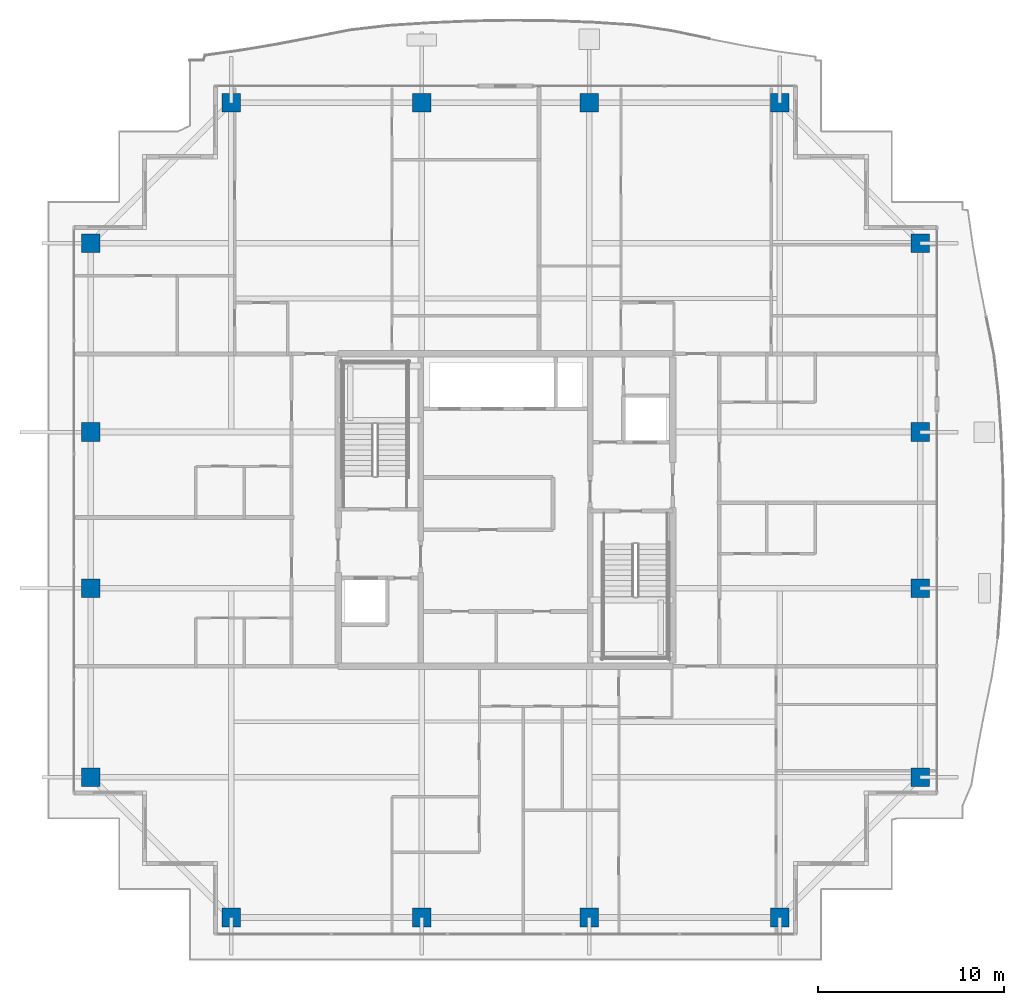
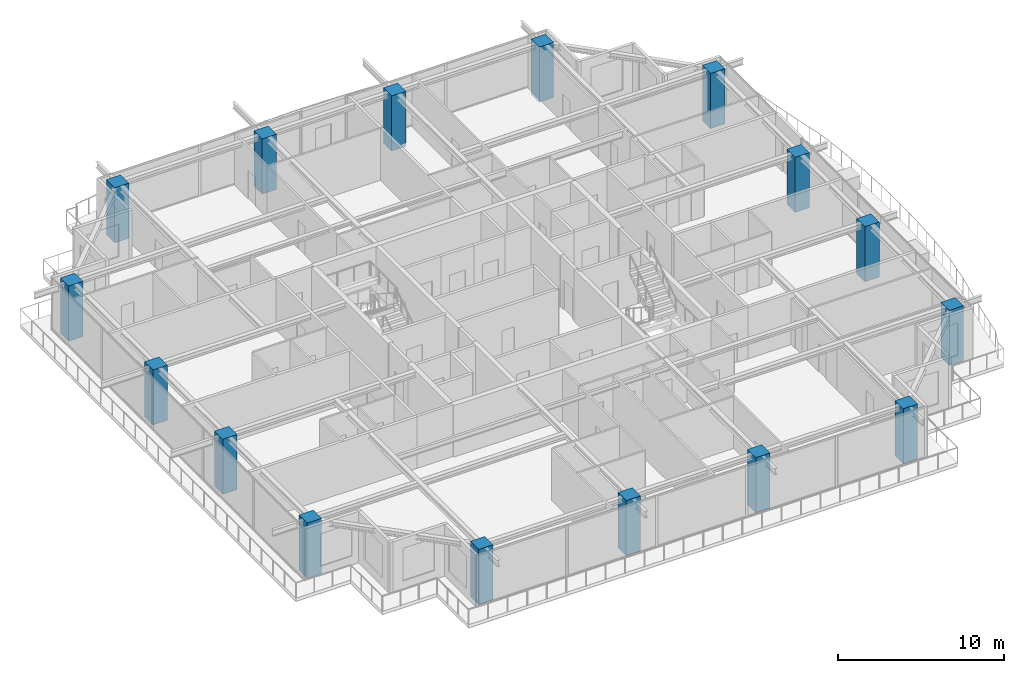
# One storey, part 1 of 39: 16 columns.
"""IFC4 building model written with IfcOpenShell, lengths in metres."""

from ifc_helpers import new_model, si_unit, direction, frame, origin, origin_2d, place, context, subcontext, project, spatial, rectangle, extrude, source, transform, mapped, material, material_profile, profile_set, type_object, element, save


model = new_model("IFC4")

# Units and contexts
model_context = context("Model", 3, precision=1e-05, world=origin(), true_north=direction((0.0, 1.0)))
body_context = subcontext(model_context, "Body", "Model", "MODEL_VIEW")
ifc_project = project(units=[si_unit("LENGTHUNIT", "METRE"), si_unit("AREAUNIT", "SQUARE_METRE"), si_unit("VOLUMEUNIT", "CUBIC_METRE"), si_unit("PLANEANGLEUNIT", "RADIAN"), si_unit("MASSUNIT", "GRAM", prefix="KILO")], contexts=[model_context])

# Site, building, storey
site_placement = place(None, origin())
site = spatial("IfcSite", under=ifc_project, at=site_placement, CompositionType="ELEMENT")
building_placement = place(site_placement, origin())
building = spatial("IfcBuilding", under=site, at=building_placement, Name="Serunith Strait Residences", CompositionType="ELEMENT")
storey_placement = place(building_placement, frame((0.0, 0.0, 329.89990234375)))
storey = spatial("IfcBuildingStorey", under=building, at=storey_placement, Name="L82", CompositionType="ELEMENT", Elevation=329.89990234375)

# Columns
ifc_material = material(Name="Concrete C70/85", Category="concrete")
ifc_material_profile = material_profile(ifc_material, rectangle(XDim=1.0, YDim=1.0, at=origin_2d()), Name="RC 1000x1000")
ifc_profile_set = profile_set([ifc_material_profile], Name="Concrete C70/85")
column_type = type_object("IfcColumnType", Name="COL-RC-1000", PredefinedType="COLUMN", material=ifc_profile_set)
shared_shape = source(origin(), body_context, "Body", "SweptSolid", [
    extrude(rectangle(XDim=1.0, YDim=1.0, at=origin_2d()), origin(), (0.0, 0.0, 1.0), 4.050048828125),
])
for number, where, z_axis, x_axis, name in (
    (1, (17.64990234375, 3.300048828125, -0.260009765625), (0.0, 0.0, 1.0), (1.0, 0.0, 0.0), "L82 Tower Mega-Column TC-S1"),
    (2, (27.89990234375, 3.300048828125, -0.260009765625), (0.0, 0.0, 1.0), (1.0, 0.0, 0.0), "L82 Tower Mega-Column TC-S2"),
    (3, (36.89990234375, 3.300048828125, -0.260009765625), (0.0, 0.0, 1.0), (1.0, 0.0, 0.0), "L82 Tower Mega-Column TC-S3"),
    (4, (47.14990234375, 3.300048828125, -0.260009765625), (0.0, 0.0, 1.0), (1.0, 0.0, 0.0), "L82 Tower Mega-Column TC-S4"),
    (5, (17.64990234375, 47.10009765625, -0.260009765625), (0.0, 0.0, 1.0), (1.0, 0.0, 0.0), "L82 Tower Mega-Column TC-N1"),
    (6, (27.89990234375, 47.10009765625, -0.260009765625), (0.0, 0.0, 1.0), (1.0, 0.0, 0.0), "L82 Tower Mega-Column TC-N2"),
    (7, (36.89990234375, 47.10009765625, -0.260009765625), (0.0, 0.0, 1.0), (1.0, 0.0, 0.0), "L82 Tower Mega-Column TC-N3"),
    (8, (47.14990234375, 47.10009765625, -0.260009765625), (0.0, 0.0, 1.0), (1.0, 0.0, 0.0), "L82 Tower Mega-Column TC-N4"),
    (9, (54.699951171875, 10.85009765625, -0.260009765625), (0.0, 0.0, 1.0), (1.0, 0.0, 0.0), "L82 Tower Mega-Column TC-E1"),
    (10, (54.699951171875, 21.0, -0.260009765625), (0.0, 0.0, 1.0), (1.0, 0.0, 0.0), "L82 Tower Mega-Column TC-E2"),
    (11, (54.699951171875, 29.39990234375, -0.260009765625), (0.0, 0.0, 1.0), (1.0, 0.0, 0.0), "L82 Tower Mega-Column TC-E3"),
    (12, (54.699951171875, 39.550048828125, -0.260009765625), (0.0, 0.0, 1.0), (1.0, 0.0, 0.0), "L82 Tower Mega-Column TC-E4"),
    (13, (10.10009765625, 10.85009765625, -0.260009765625), (0.0, 0.0, 1.0), (1.0, 0.0, 0.0), "L82 Tower Mega-Column TC-W1"),
    (14, (10.10009765625, 21.0, -0.260009765625), (0.0, 0.0, 1.0), (1.0, 0.0, 0.0), "L82 Tower Mega-Column TC-W2"),
    (15, (10.10009765625, 29.39990234375, -0.260009765625), (0.0, 0.0, 1.0), (1.0, 0.0, 0.0), "L82 Tower Mega-Column TC-W3"),
    (16, (10.10009765625, 39.550048828125, -0.260009765625), (0.0, 0.0, 1.0), (1.0, 0.0, 0.0), "L82 Tower Mega-Column TC-W4"),
):
    element("IfcColumn", number, at=place(storey_placement, frame(where, z_axis=z_axis, x_axis=x_axis)), inside=storey, type_object=column_type, Name=name, PredefinedType="COLUMN", context=body_context, shape_type="MappedRepresentation", body=[
        mapped(shared_shape, transform((0.0, 0.0, 0.0), scale=1.0)),
    ])

save(model, "model.ifc")
